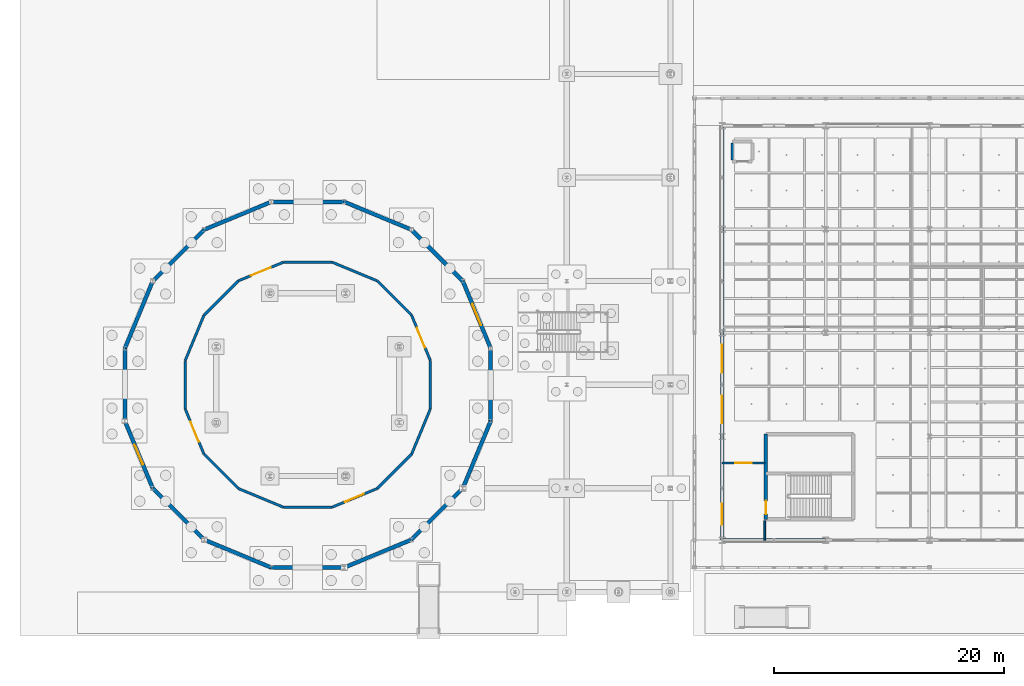
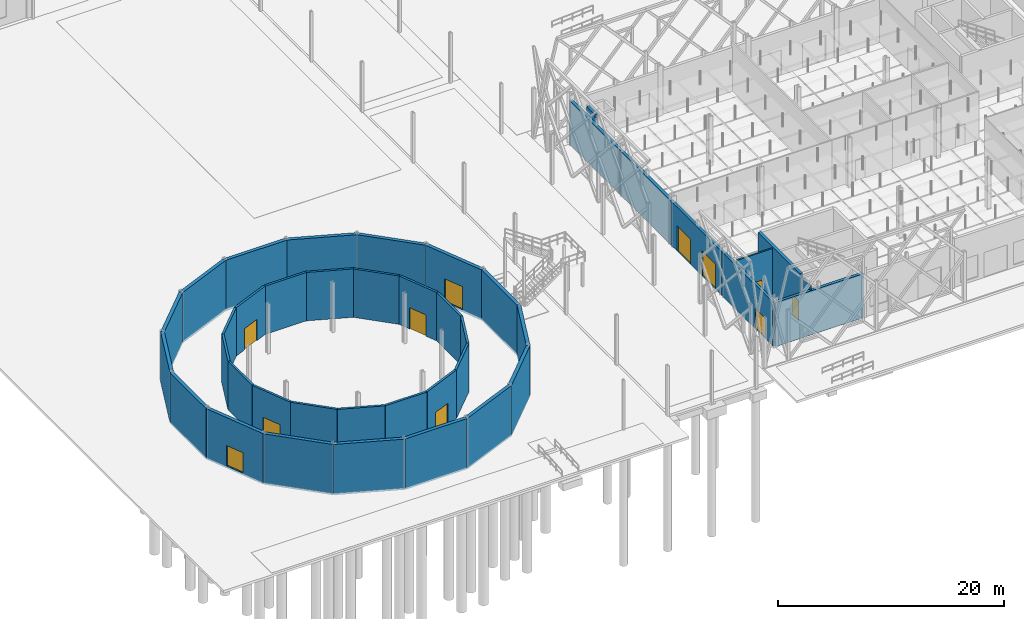
# One storey, part 94 of 180: 41 walls, 11 doors, 11 openings.
"""IFC4 building model written with IfcOpenShell, lengths in metres."""

from ifc_helpers import new_model, si_unit, direction, frame, frame_2d, origin, place, context, subcontext, project, spatial, rectangle, extrude, material, layer, layer_set, type_object, element, fill, save


model = new_model("IFC4")

# Units and contexts
model_context = context("Model", 3, precision=1e-05, world=origin(), true_north=direction((0.0, 1.0)))
body_context = subcontext(model_context, "Body", "Model", "MODEL_VIEW")
ifc_project = project(units=[si_unit("LENGTHUNIT", "METRE"), si_unit("AREAUNIT", "SQUARE_METRE"), si_unit("VOLUMEUNIT", "CUBIC_METRE"), si_unit("PLANEANGLEUNIT", "RADIAN"), si_unit("MASSUNIT", "GRAM", prefix="KILO"), si_unit("THERMODYNAMICTEMPERATUREUNIT", "KELVIN"), si_unit("POWERUNIT", "WATT")], contexts=[model_context])

# Site, building, storey
site_placement = place(None, origin())
site = spatial("IfcSite", under=ifc_project, at=site_placement, CompositionType="ELEMENT")
building_placement = place(site_placement, origin())
building = spatial("IfcBuilding", under=site, at=building_placement, Name="Tallowbark Science Centre", CompositionType="ELEMENT")
storey_placement = place(building_placement, origin())
storey = spatial("IfcBuildingStorey", under=building, at=storey_placement, Name="L00", CompositionType="ELEMENT", Elevation=0.0)

# Wall, opening, door
ifc_material_1 = material(Name="Spotted Gum Glulam and Mineral-Wool Rainscreen Assembly", Category="wood")
ifc_layer_1 = layer(ifc_material_1, 0.280029296875)
ifc_layer_set_1 = layer_set([ifc_layer_1], Name="Spotted Gum Glulam and Mineral-Wool Rainscreen Assembly")
wall_type_1 = type_object("IfcWallType", Name="EWL-TIM-280", PredefinedType="STANDARD", material=ifc_layer_set_1)
wall_1_placement = place(storey_placement, frame((58.5, 13.5, 0.0), z_axis=(0.0, 0.0, 1.0), x_axis=(0.0, -1.0, 0.0)))
wall_1 = element("IfcWall", 1, at=wall_1_placement, inside=storey, type_object=wall_type_1, Name="Exterior Wall CUB-W-L00-0", PredefinedType="STANDARD", context=body_context, shape_type="SweptSolid", body=[
    extrude(rectangle(XDim=9.0, YDim=0.280029296875, at=frame_2d((4.5, 0.0))), origin(), (0.0, 0.0, 1.0), 4.74609375),
])
opening_1_placement = place(wall_1_placement, frame((5.824951171875, 0.0, 0.0)))
opening_1 = element("IfcOpeningElement", 2, at=opening_1_placement, cuts=wall_1, Name="Opening ED-07", PredefinedType="OPENING", context=body_context, shape_type="SweptSolid", body=[
    extrude(rectangle(XDim=1.85009765625, YDim=2.199951171875, at=frame_2d((0.925048828125, 1.10009765625))), frame((0.0, 0.14990234375, 0.0), z_axis=(0.0, -1.0, 0.0), x_axis=(1.0, 0.0, 0.0)), (0.0, 0.0, 1.0), 0.300048828125),
])
ifc_material_2 = material(Name="Powdercoated Galvanised Steel Leaf", Category="steel")
door_type_1 = type_object("IfcDoorType", Name="EDR-ESC-185", OperationType="DOUBLE_DOOR_SINGLE_SWING", PredefinedType="DOOR", material=ifc_material_2)
door_1_placement = place(opening_1_placement, origin())
door_1 = element("IfcDoor", 3, at=door_1_placement, inside=storey, type_object=door_type_1, Name="Exterior Door EDR-L00-008", OperationType="DOUBLE_DOOR_SINGLE_SWING", OverallHeight=2.199951171875, OverallWidth=1.85009765625, PredefinedType="DOOR", context=body_context, shape_type="SweptSolid", body=[
    extrude(rectangle(XDim=1.85009765625, YDim=2.199951171875, at=frame_2d((0.925048828125, 1.10009765625))), frame((0.0, 0.02490234375, 0.0), z_axis=(0.0, -1.0, 0.0), x_axis=(1.0, 0.0, 0.0)), (0.0, 0.0, 1.0), 0.050048828125),
])
fill(opening_1, door_1)

# Wall, openings, doors
wall_2_placement = place(storey_placement, frame((58.5, 22.5, 0.0), z_axis=(0.0, 0.0, 1.0), x_axis=(0.0, -1.0, 0.0)))
wall_2 = element("IfcWall", 4, at=wall_2_placement, inside=storey, type_object=wall_type_1, Name="Exterior Wall CUB-W-L00-1", PredefinedType="STANDARD", context=body_context, shape_type="SweptSolid", body=[
    extrude(rectangle(XDim=9.0, YDim=0.280029296875, at=frame_2d((4.5, 0.0))), origin(), (0.0, 0.0, 1.0), 4.74609375),
])
opening_2_placement = place(wall_2_placement, frame((1.050048828125, 0.0, 0.0)))
opening_2 = element("IfcOpeningElement", 5, at=opening_2_placement, cuts=wall_2, Name="Opening ED-01", PredefinedType="OPENING", context=body_context, shape_type="SweptSolid", body=[
    extrude(rectangle(XDim=2.39990234375, YDim=2.699951171875, at=frame_2d((1.199951171875, 1.35009765625))), frame((0.0, 0.14990234375, 0.0), z_axis=(0.0, -1.0, 0.0), x_axis=(1.0, 0.0, 0.0)), (0.0, 0.0, 1.0), 0.300048828125),
])
opening_3_placement = place(wall_2_placement, frame((5.449951171875, 0.0, 0.0)))
opening_3 = element("IfcOpeningElement", 6, at=opening_3_placement, cuts=wall_2, Name="Opening ED-01", PredefinedType="OPENING", context=body_context, shape_type="SweptSolid", body=[
    extrude(rectangle(XDim=2.39990234375, YDim=2.699951171875, at=frame_2d((1.199951171875, 1.35009765625))), frame((0.0, 0.14990234375, 0.0), z_axis=(0.0, -1.0, 0.0), x_axis=(1.0, 0.0, 0.0)), (0.0, 0.0, 1.0), 0.300048828125),
])
ifc_material_3 = material(Name="Thermally Broken Glazed Aluminium Frame", Category="aluminium")
door_type_2 = type_object("IfcDoorType", Name="EDR-GLZ-240", OperationType="DOUBLE_DOOR_SINGLE_SWING", PredefinedType="DOOR", material=ifc_material_3)
door_2_placement = place(opening_2_placement, origin())
door_2 = element("IfcDoor", 7, at=door_2_placement, inside=storey, type_object=door_type_2, Name="Exterior Door EDR-L00-009", OperationType="DOUBLE_DOOR_SINGLE_SWING", OverallHeight=2.699951171875, OverallWidth=2.39990234375, PredefinedType="DOOR", context=body_context, shape_type="SweptSolid", body=[
    extrude(rectangle(XDim=2.39990234375, YDim=2.699951171875, at=frame_2d((1.199951171875, 1.35009765625))), frame((0.0, 0.02490234375, 0.0), z_axis=(0.0, -1.0, 0.0), x_axis=(1.0, 0.0, 0.0)), (0.0, 0.0, 1.0), 0.050048828125),
])
fill(opening_2, door_2)
door_3_placement = place(opening_3_placement, origin())
door_3 = element("IfcDoor", 8, at=door_3_placement, inside=storey, type_object=door_type_2, Name="Exterior Door EDR-L00-010", OperationType="DOUBLE_DOOR_SINGLE_SWING", OverallHeight=2.699951171875, OverallWidth=2.39990234375, PredefinedType="DOOR", context=body_context, shape_type="SweptSolid", body=[
    extrude(rectangle(XDim=2.39990234375, YDim=2.699951171875, at=frame_2d((1.199951171875, 1.35009765625))), frame((0.0, 0.02490234375, 0.0), z_axis=(0.0, -1.0, 0.0), x_axis=(1.0, 0.0, 0.0)), (0.0, 0.0, 1.0), 0.050048828125),
])
fill(opening_3, door_3)

# Walls
ifc_material_4 = material(Name="Spotted Gum Acoustic Cassette Wall Assembly", Category="wood")
ifc_layer_2 = layer(ifc_material_4, 0.294921875)
ifc_layer_set_2 = layer_set([ifc_layer_2], Name="Spotted Gum Acoustic Cassette Wall Assembly")
wall_type_2 = type_object("IfcWallType", Name="EWL-TIM-295", PredefinedType="STANDARD", material=ifc_layer_set_2)
for number, where, z_axis, x_axis, name in (
    (9, (58.5, 4.5, 0.0), (0.0, 0.0, 1.0), (1.0, 0.0, 0.0), "Exterior Wall CUB-S-L00-0"),
    (10, (58.5, 31.5, 0.0), (0.0, 0.0, 1.0), (0.0, -1.0, 0.0), "Exterior Wall CUB-W-L00-2"),
    (11, (58.5, 40.5, 0.0), (0.0, 0.0, 1.0), (0.0, -1.0, 0.0), "Exterior Wall CUB-W-L00-3"),
):
    element("IfcWall", number, at=place(storey_placement, frame(where, z_axis=z_axis, x_axis=x_axis)), inside=storey, type_object=wall_type_2, Name=name, PredefinedType="STANDARD", context=body_context, shape_type="SweptSolid", body=[
        extrude(rectangle(XDim=9.0, YDim=0.294921875, at=frame_2d((4.5, 0.0))), origin(), (0.0, 0.0, 1.0), 4.74609375),
    ])

# Wall, opening, door
ifc_material_5 = material(Name="162 mm Double-Stud Fire-Rated Corridor Partition")
ifc_layer_3 = layer(ifc_material_5, 0.162109375)
ifc_layer_set_3 = layer_set([ifc_layer_3], Name="162 mm Double-Stud Fire-Rated Corridor Partition")
wall_type_3 = type_object("IfcWallType", Name="PTW-162", PredefinedType="PARTITIONING", material=ifc_layer_set_3)
wall_3_placement = place(storey_placement, frame((58.5, 11.199951171875, 0.0), z_axis=(0.0, 0.0, 1.0), x_axis=(1.0, 0.0, 0.0)))
wall_3 = element("IfcWall", 12, at=wall_3_placement, inside=storey, type_object=wall_type_3, Name="Interior Partition PTW-L00-0139", PredefinedType="PARTITIONING", context=body_context, shape_type="SweptSolid", body=[
    extrude(rectangle(XDim=3.699951171875, YDim=0.162109375, at=frame_2d((1.85009765625, 0.0))), origin(), (0.0, 0.0, 1.0), 5.219970703125),
])
opening_4_placement = place(wall_3_placement, frame((1.1201171875, 0.0, 0.0)))
opening_4 = element("IfcOpeningElement", 13, at=opening_4_placement, cuts=wall_3, Name="Opening FD-02", PredefinedType="OPENING", context=body_context, shape_type="SweptSolid", body=[
    extrude(rectangle(XDim=1.449951171875, YDim=2.199951171875, at=frame_2d((0.72509765625, 1.10009765625))), frame((0.0, 0.091064453125, 0.0), z_axis=(0.0, -1.0, 0.0), x_axis=(1.0, 0.0, 0.0)), (0.0, 0.0, 1.0), 0.18212890625),
])
ifc_material_6 = material(Name="Fire-Rated Glazed Steel Pair", Category="steel")
door_type_3 = type_object("IfcDoorType", Name="FDR-LOB-145", OperationType="DOUBLE_DOOR_SINGLE_SWING", PredefinedType="DOOR", material=ifc_material_6)
door_4_placement = place(opening_4_placement, origin())
door_4 = element("IfcDoor", 14, at=door_4_placement, inside=storey, type_object=door_type_3, Name="Interior Door IDR-L00-0055", OperationType="DOUBLE_DOOR_SINGLE_SWING", OverallHeight=2.199951171875, OverallWidth=1.449951171875, PredefinedType="DOOR", context=body_context, shape_type="SweptSolid", body=[
    extrude(rectangle(XDim=1.449951171875, YDim=2.199951171875, at=frame_2d((0.72509765625, 1.10009765625))), frame((0.0, 0.02490234375, 0.0), z_axis=(0.0, -1.0, 0.0), x_axis=(1.0, 0.0, 0.0)), (0.0, 0.0, 1.0), 0.050048828125),
])
fill(opening_4, door_4)

# Wall
wall_4_placement = place(storey_placement, frame((62.199951171875, 4.5, 0.0), z_axis=(0.0, 0.0, 1.0), x_axis=(0.0, 1.0, 0.0)))
element("IfcWall", 15, at=wall_4_placement, inside=storey, type_object=wall_type_3, Name="Interior Partition PTW-L00-0140", PredefinedType="PARTITIONING", context=body_context, shape_type="SweptSolid", body=[
    extrude(rectangle(XDim=1.699951171875, YDim=0.162109375, at=frame_2d((0.85009765625, 0.0))), origin(), (0.0, 0.0, 1.0), 5.219970703125),
])

# Wall, opening, door
ifc_material_7 = material(Name="220 mm High-STC Planetarium Acoustic Partition")
ifc_layer_4 = layer(ifc_material_7, 0.219970703125)
ifc_layer_set_4 = layer_set([ifc_layer_4], Name="220 mm High-STC Planetarium Acoustic Partition")
wall_type_4 = type_object("IfcWallType", Name="PTW-220", PredefinedType="PARTITIONING", material=ifc_layer_set_4)
wall_5_placement = place(storey_placement, frame((33.1416015625, 20.11669921875, 0.0), z_axis=(0.0, 0.0, 1.0), x_axis=(-0.382698137168, 0.923873441445, 0.0)))
wall_5 = element("IfcWall", 16, at=wall_5_placement, inside=storey, type_object=wall_type_4, Name="Interior Partition PTW-L00-0056", PredefinedType="PARTITIONING", context=body_context, shape_type="SweptSolid", body=[
    extrude(rectangle(XDim=4.2333984375, YDim=0.219970703125, at=frame_2d((2.11669921875, 0.0))), origin(), (0.0, 0.0, 1.0), 5.219970703125),
])
opening_5_placement = place(wall_5_placement, frame((1.199951171875, 0.0, 0.0)))
opening_5 = element("IfcOpeningElement", 17, at=opening_5_placement, cuts=wall_5, Name="Opening DS-15", PredefinedType="OPENING", context=body_context, shape_type="SweptSolid", body=[
    extrude(rectangle(XDim=1.840087890625, YDim=2.300048828125, at=frame_2d((0.919921875, 1.14990234375))), frame((0.0, 0.1201171875, 0.0), z_axis=(0.0, -1.0, 0.0), x_axis=(1.0, 0.0, 0.0)), (0.0, 0.0, 1.0), 0.239990234375),
])
ifc_material_8 = material(Name="Acoustic Sound-Lock Theatre Pair")
door_type_4 = type_object("IfcDoorType", Name="IDR-AUD-180-S15", OperationType="DOUBLE_DOOR_SINGLE_SWING", PredefinedType="DOOR", material=ifc_material_8)
door_5_placement = place(opening_5_placement, origin())
door_5 = element("IfcDoor", 18, at=door_5_placement, inside=storey, type_object=door_type_4, Name="Interior Door IDR-L00-0015", OperationType="DOUBLE_DOOR_SINGLE_SWING", OverallHeight=2.300048828125, OverallWidth=1.840087890625, PredefinedType="DOOR", context=body_context, shape_type="SweptSolid", body=[
    extrude(rectangle(XDim=1.840087890625, YDim=2.300048828125, at=frame_2d((0.919921875, 1.14990234375))), frame((0.0, 0.02490234375, 0.0), z_axis=(0.0, -1.0, 0.0), x_axis=(1.0, 0.0, 0.0)), (0.0, 0.0, 1.0), 0.050048828125),
])
fill(opening_5, door_5)

# Walls
wall_6_placement = place(storey_placement, frame((31.521484375, 24.02783203125, 0.0), z_axis=(0.0, 0.0, 1.0), x_axis=(-0.707106781187, 0.707106781187, 0.0)))
element("IfcWall", 19, at=wall_6_placement, inside=storey, type_object=wall_type_4, Name="Interior Partition PTW-L00-0057", PredefinedType="PARTITIONING", context=body_context, shape_type="SweptSolid", body=[
    extrude(rectangle(XDim=4.233642578125, YDim=0.219970703125, at=frame_2d((2.11669921875, 0.0))), origin(), (0.0, 0.0, 1.0), 5.219970703125),
])
for number, where, z_axis, x_axis, name in (
    (20, (28.52783203125, 27.021484375, 0.0), (0.0, 0.0, 1.0), (-0.923873441445, 0.382698137168, 0.0), "Interior Partition PTW-L00-0058"),
    (21, (24.61669921875, 28.6416015625, 0.0), (0.0, 0.0, 1.0), (-1.0, 0.0, 0.0), "Interior Partition PTW-L00-0059"),
):
    element("IfcWall", number, at=place(storey_placement, frame(where, z_axis=z_axis, x_axis=x_axis)), inside=storey, type_object=wall_type_4, Name=name, PredefinedType="PARTITIONING", context=body_context, shape_type="SweptSolid", body=[
        extrude(rectangle(XDim=4.2333984375, YDim=0.219970703125, at=frame_2d((2.11669921875, 0.0))), origin(), (0.0, 0.0, 1.0), 5.219970703125),
    ])

# Wall, opening, door
wall_7_placement = place(storey_placement, frame((20.38330078125, 28.6416015625, 0.0), z_axis=(0.0, 0.0, 1.0), x_axis=(-0.923873441445, -0.382698137168, 0.0)))
wall_7 = element("IfcWall", 22, at=wall_7_placement, inside=storey, type_object=wall_type_4, Name="Interior Partition PTW-L00-0060", PredefinedType="PARTITIONING", context=body_context, shape_type="SweptSolid", body=[
    extrude(rectangle(XDim=4.2333984375, YDim=0.219970703125, at=frame_2d((2.11669921875, 0.0))), origin(), (0.0, 0.0, 1.0), 5.219970703125),
])
opening_6_placement = place(wall_7_placement, frame((1.199951171875, 0.0, 0.0)))
opening_6 = element("IfcOpeningElement", 23, at=opening_6_placement, cuts=wall_7, Name="Opening DS-16", PredefinedType="OPENING", context=body_context, shape_type="SweptSolid", body=[
    extrude(rectangle(XDim=1.860107421875, YDim=2.300048828125, at=frame_2d((0.93017578125, 1.14990234375))), frame((0.0, 0.1201171875, 0.0), z_axis=(0.0, -1.0, 0.0), x_axis=(1.0, 0.0, 0.0)), (0.0, 0.0, 1.0), 0.239990234375),
])
door_type_5 = type_object("IfcDoorType", Name="IDR-AUD-180-S16", OperationType="DOUBLE_DOOR_SINGLE_SWING", PredefinedType="DOOR", material=ifc_material_8)
door_6_placement = place(opening_6_placement, origin())
door_6 = element("IfcDoor", 24, at=door_6_placement, inside=storey, type_object=door_type_5, Name="Interior Door IDR-L00-0016", OperationType="DOUBLE_DOOR_SINGLE_SWING", OverallHeight=2.300048828125, OverallWidth=1.860107421875, PredefinedType="DOOR", context=body_context, shape_type="SweptSolid", body=[
    extrude(rectangle(XDim=1.860107421875, YDim=2.300048828125, at=frame_2d((0.93017578125, 1.14990234375))), frame((0.0, 0.02490234375, 0.0), z_axis=(0.0, -1.0, 0.0), x_axis=(1.0, 0.0, 0.0)), (0.0, 0.0, 1.0), 0.050048828125),
])
fill(opening_6, door_6)

# Walls
wall_8_placement = place(storey_placement, frame((16.47216796875, 27.021484375, 0.0), z_axis=(0.0, 0.0, 1.0), x_axis=(-0.707106781187, -0.707106781187, 0.0)))
element("IfcWall", 25, at=wall_8_placement, inside=storey, type_object=wall_type_4, Name="Interior Partition PTW-L00-0061", PredefinedType="PARTITIONING", context=body_context, shape_type="SweptSolid", body=[
    extrude(rectangle(XDim=4.233642578125, YDim=0.219970703125, at=frame_2d((2.11669921875, 0.0))), origin(), (0.0, 0.0, 1.0), 5.219970703125),
])
for number, where, z_axis, x_axis, name in (
    (26, (13.478515625, 24.02783203125, 0.0), (0.0, 0.0, 1.0), (-0.382698137168, -0.923873441445, 0.0), "Interior Partition PTW-L00-0062"),
    (27, (11.8583984375, 20.11669921875, 0.0), (0.0, 0.0, 1.0), (0.0, -1.0, 0.0), "Interior Partition PTW-L00-0063"),
):
    element("IfcWall", number, at=place(storey_placement, frame(where, z_axis=z_axis, x_axis=x_axis)), inside=storey, type_object=wall_type_4, Name=name, PredefinedType="PARTITIONING", context=body_context, shape_type="SweptSolid", body=[
        extrude(rectangle(XDim=4.2333984375, YDim=0.219970703125, at=frame_2d((2.11669921875, 0.0))), origin(), (0.0, 0.0, 1.0), 5.219970703125),
    ])

# Wall, opening, door
wall_9_placement = place(storey_placement, frame((11.8583984375, 15.88330078125, 0.0), z_axis=(0.0, 0.0, 1.0), x_axis=(0.382698137168, -0.923873441445, 0.0)))
wall_9 = element("IfcWall", 28, at=wall_9_placement, inside=storey, type_object=wall_type_4, Name="Interior Partition PTW-L00-0064", PredefinedType="PARTITIONING", context=body_context, shape_type="SweptSolid", body=[
    extrude(rectangle(XDim=4.2333984375, YDim=0.219970703125, at=frame_2d((2.11669921875, 0.0))), origin(), (0.0, 0.0, 1.0), 5.219970703125),
])
opening_7_placement = place(wall_9_placement, frame((1.199951171875, 0.0, 0.0)))
opening_7 = element("IfcOpeningElement", 29, at=opening_7_placement, cuts=wall_9, Name="Opening DS-17", PredefinedType="OPENING", context=body_context, shape_type="SweptSolid", body=[
    extrude(rectangle(XDim=1.8798828125, YDim=2.300048828125, at=frame_2d((0.93994140625, 1.14990234375))), frame((0.0, 0.1201171875, 0.0), z_axis=(0.0, -1.0, 0.0), x_axis=(1.0, 0.0, 0.0)), (0.0, 0.0, 1.0), 0.239990234375),
])
door_type_6 = type_object("IfcDoorType", Name="IDR-AUD-180-S17", OperationType="DOUBLE_DOOR_SINGLE_SWING", PredefinedType="DOOR", material=ifc_material_8)
door_7_placement = place(opening_7_placement, origin())
door_7 = element("IfcDoor", 30, at=door_7_placement, inside=storey, type_object=door_type_6, Name="Interior Door IDR-L00-0017", OperationType="DOUBLE_DOOR_SINGLE_SWING", OverallHeight=2.300048828125, OverallWidth=1.8798828125, PredefinedType="DOOR", context=body_context, shape_type="SweptSolid", body=[
    extrude(rectangle(XDim=1.8798828125, YDim=2.300048828125, at=frame_2d((0.93994140625, 1.14990234375))), frame((0.0, 0.02490234375, 0.0), z_axis=(0.0, -1.0, 0.0), x_axis=(1.0, 0.0, 0.0)), (0.0, 0.0, 1.0), 0.050048828125),
])
fill(opening_7, door_7)

# Walls
wall_10_placement = place(storey_placement, frame((13.478515625, 11.97216796875, 0.0), z_axis=(0.0, 0.0, 1.0), x_axis=(0.707106781187, -0.707106781187, 0.0)))
element("IfcWall", 31, at=wall_10_placement, inside=storey, type_object=wall_type_4, Name="Interior Partition PTW-L00-0065", PredefinedType="PARTITIONING", context=body_context, shape_type="SweptSolid", body=[
    extrude(rectangle(XDim=4.233642578125, YDim=0.219970703125, at=frame_2d((2.11669921875, 0.0))), origin(), (0.0, 0.0, 1.0), 5.219970703125),
])
for number, where, z_axis, x_axis, name in (
    (32, (16.47216796875, 8.978515625, 0.0), (0.0, 0.0, 1.0), (0.923873441445, -0.382698137168, 0.0), "Interior Partition PTW-L00-0066"),
    (33, (20.38330078125, 7.3583984375, 0.0), (0.0, 0.0, 1.0), (1.0, 0.0, 0.0), "Interior Partition PTW-L00-0067"),
):
    element("IfcWall", number, at=place(storey_placement, frame(where, z_axis=z_axis, x_axis=x_axis)), inside=storey, type_object=wall_type_4, Name=name, PredefinedType="PARTITIONING", context=body_context, shape_type="SweptSolid", body=[
        extrude(rectangle(XDim=4.2333984375, YDim=0.219970703125, at=frame_2d((2.11669921875, 0.0))), origin(), (0.0, 0.0, 1.0), 5.219970703125),
    ])

# Wall, opening, door
wall_11_placement = place(storey_placement, frame((24.61669921875, 7.3583984375, 0.0), z_axis=(0.0, 0.0, 1.0), x_axis=(0.923873441445, 0.382698137168, 0.0)))
wall_11 = element("IfcWall", 34, at=wall_11_placement, inside=storey, type_object=wall_type_4, Name="Interior Partition PTW-L00-0068", PredefinedType="PARTITIONING", context=body_context, shape_type="SweptSolid", body=[
    extrude(rectangle(XDim=4.2333984375, YDim=0.219970703125, at=frame_2d((2.11669921875, 0.0))), origin(), (0.0, 0.0, 1.0), 5.219970703125),
])
opening_8_placement = place(wall_11_placement, frame((1.199951171875, 0.0, 0.0)))
opening_8 = element("IfcOpeningElement", 35, at=opening_8_placement, cuts=wall_11, Name="Opening DS-18", PredefinedType="OPENING", context=body_context, shape_type="SweptSolid", body=[
    extrude(rectangle(XDim=1.780029296875, YDim=2.324951171875, at=frame_2d((0.89013671875, 1.16259765625))), frame((0.0, 0.1201171875, 0.0), z_axis=(0.0, -1.0, 0.0), x_axis=(1.0, 0.0, 0.0)), (0.0, 0.0, 1.0), 0.239990234375),
])
door_type_7 = type_object("IfcDoorType", Name="IDR-AUD-180-S18", OperationType="DOUBLE_DOOR_SINGLE_SWING", PredefinedType="DOOR", material=ifc_material_8)
door_8_placement = place(opening_8_placement, origin())
door_8 = element("IfcDoor", 36, at=door_8_placement, inside=storey, type_object=door_type_7, Name="Interior Door IDR-L00-0018", OperationType="DOUBLE_DOOR_SINGLE_SWING", OverallHeight=2.324951171875, OverallWidth=1.780029296875, PredefinedType="DOOR", context=body_context, shape_type="SweptSolid", body=[
    extrude(rectangle(XDim=1.780029296875, YDim=2.324951171875, at=frame_2d((0.89013671875, 1.16259765625))), frame((0.0, 0.02490234375, 0.0), z_axis=(0.0, -1.0, 0.0), x_axis=(1.0, 0.0, 0.0)), (0.0, 0.0, 1.0), 0.050048828125),
])
fill(opening_8, door_8)

# Walls
wall_12_placement = place(storey_placement, frame((28.52783203125, 8.978515625, 0.0), z_axis=(0.0, 0.0, 1.0), x_axis=(0.707106781187, 0.707106781187, 0.0)))
element("IfcWall", 37, at=wall_12_placement, inside=storey, type_object=wall_type_4, Name="Interior Partition PTW-L00-0069", PredefinedType="PARTITIONING", context=body_context, shape_type="SweptSolid", body=[
    extrude(rectangle(XDim=4.233642578125, YDim=0.219970703125, at=frame_2d((2.11669921875, 0.0))), origin(), (0.0, 0.0, 1.0), 5.219970703125),
])
for number, where, z_axis, x_axis, name in (
    (38, (31.521484375, 11.97216796875, 0.0), (0.0, 0.0, 1.0), (0.382698137168, 0.923873441445, 0.0), "Interior Partition PTW-L00-0070"),
    (39, (33.1416015625, 15.88330078125, 0.0), (0.0, 0.0, 1.0), (0.0, 1.0, 0.0), "Interior Partition PTW-L00-0071"),
):
    element("IfcWall", number, at=place(storey_placement, frame(where, z_axis=z_axis, x_axis=x_axis)), inside=storey, type_object=wall_type_4, Name=name, PredefinedType="PARTITIONING", context=body_context, shape_type="SweptSolid", body=[
        extrude(rectangle(XDim=4.2333984375, YDim=0.219970703125, at=frame_2d((2.11669921875, 0.0))), origin(), (0.0, 0.0, 1.0), 5.219970703125),
    ])

# Wall, opening, door
ifc_material_9 = material(Name="Concrete Grade N40 (40 MPa)", Category="concrete")
ifc_layer_5 = layer(ifc_material_9, 0.300048828125)
ifc_layer_set_5 = layer_set([ifc_layer_5], Name="Concrete Grade N40 (40 MPa)")
wall_type_5 = type_object("IfcWallType", Name="WL-CORE-300", PredefinedType="SHEAR", material=ifc_layer_set_5)
wall_13_placement = place(storey_placement, frame((62.300048828125, 6.300048828125, 0.0), z_axis=(0.0, 0.0, 1.0), x_axis=(0.0, 1.0, 0.0)))
wall_13 = element("IfcWall", 40, at=wall_13_placement, inside=storey, type_object=wall_type_5, Name="Core C7 Shear Wall L00 W", PredefinedType="SHEAR", context=body_context, shape_type="SweptSolid", body=[
    extrude(rectangle(XDim=7.39990234375, YDim=0.300048828125, at=frame_2d((3.699951171875, 0.0))), origin(), (0.0, 0.0, 1.0), 5.39990234375),
])
opening_9_placement = place(wall_13_placement, frame((0.449951171875, 0.0, 0.0)))
opening_9 = element("IfcOpeningElement", 41, at=opening_9_placement, cuts=wall_13, Name="Opening FD-01", PredefinedType="OPENING", context=body_context, shape_type="SweptSolid", body=[
    extrude(rectangle(XDim=1.14990234375, YDim=2.14990234375, at=frame_2d((0.574951171875, 1.074951171875))), frame((0.0, 0.16015625, 0.0), z_axis=(0.0, -1.0, 0.0), x_axis=(1.0, 0.0, 0.0)), (0.0, 0.0, 1.0), 0.320068359375),
])
ifc_material_10 = material(Name="Fire-Rated Pressed Steel Frame and Solid Core Leaf", Category="steel")
door_type_8 = type_object("IfcDoorType", Name="FDR-STR-115", OperationType="NOTDEFINED", PredefinedType="DOOR", material=ifc_material_10)
door_9_placement = place(opening_9_placement, origin())
door_9 = element("IfcDoor", 42, at=door_9_placement, inside=storey, type_object=door_type_8, Name="Stair ST-07 Fire Door L00", OperationType="SINGLE_SWING_RIGHT", OverallHeight=2.14990234375, OverallWidth=1.14990234375, PredefinedType="DOOR", context=body_context, shape_type="SweptSolid", body=[
    extrude(rectangle(XDim=1.14990234375, YDim=2.14990234375, at=frame_2d((0.574951171875, 1.074951171875))), frame((0.0, 0.02490234375, 0.0), z_axis=(0.0, -1.0, 0.0), x_axis=(1.0, 0.0, 0.0)), (0.0, 0.0, 1.0), 0.050048828125),
])
fill(opening_9, door_9)

ifc_layer_6 = layer(ifc_material_9, 0.340087890625)
ifc_layer_set_6 = layer_set([ifc_layer_6], Name="Concrete Grade N40 (40 MPa)")
wall_type_6 = type_object("IfcWallType", Name="WL-DRUM-340", PredefinedType="SHEAR", material=ifc_layer_set_6)
wall_14_placement = place(storey_placement, frame((38.388671875, 21.160400390625, -0.239990234375), z_axis=(0.0, 0.0, 1.0), x_axis=(-0.382683814393, 0.92387937427, 0.0)))
wall_14 = element("IfcWall", 43, at=wall_14_placement, inside=storey, type_object=wall_type_6, Name="Planetarium Drum Wall L00 Chord 1", PredefinedType="SHEAR", context=body_context, shape_type="SweptSolid", body=[
    extrude(rectangle(XDim=6.321044921875, YDim=0.340087890625, at=frame_2d((3.16064453125, 0.0))), origin(), (0.0, 0.0, 1.0), 5.4599609375),
])
opening_10_placement = place(wall_14_placement, frame((2.160400390625, 0.0, 0.239990234375)))
opening_10 = element("IfcOpeningElement", 44, at=opening_10_placement, cuts=wall_14, Name="Opening ED-02", PredefinedType="OPENING", context=body_context, shape_type="SweptSolid", body=[
    extrude(rectangle(XDim=2.0, YDim=2.5, at=frame_2d((1.0, 1.25))), frame((0.0, 0.18017578125, 0.0), z_axis=(0.0, -1.0, 0.0), x_axis=(1.0, 0.0, 0.0)), (0.0, 0.0, 1.0), 0.360107421875),
])
door_type_9 = type_object("IfcDoorType", Name="EDR-GLZ-200", OperationType="DOUBLE_DOOR_SINGLE_SWING", PredefinedType="DOOR", material=ifc_material_3)
door_10_placement = place(opening_10_placement, origin())
door_10 = element("IfcDoor", 45, at=door_10_placement, inside=storey, type_object=door_type_9, Name="Planetarium Ground Entrance Door 1", OperationType="DOUBLE_DOOR_SINGLE_SWING", OverallHeight=2.5, OverallWidth=2.0, PredefinedType="DOOR", context=body_context, shape_type="SweptSolid", body=[
    extrude(rectangle(XDim=2.0, YDim=2.5, at=frame_2d((1.0, 1.25))), frame((0.0, 0.02490234375, 0.0), z_axis=(0.0, -1.0, 0.0), x_axis=(1.0, 0.0, 0.0)), (0.0, 0.0, 1.0), 0.050048828125),
])
fill(opening_10, door_10)

# Walls
wall_15_placement = place(storey_placement, frame((35.9697265625, 27.000244140625, -0.239990234375), z_axis=(0.0, 0.0, 1.0), x_axis=(-0.707106781187, 0.707106781187, 0.0)))
element("IfcWall", 46, at=wall_15_placement, inside=storey, type_object=wall_type_6, Name="Planetarium Drum Wall L00 Chord 2", PredefinedType="SHEAR", context=body_context, shape_type="SweptSolid", body=[
    extrude(rectangle(XDim=6.32080078125, YDim=0.340087890625, at=frame_2d((3.160400390625, 0.0))), origin(), (0.0, 0.0, 1.0), 5.4599609375),
])
wall_16_placement = place(storey_placement, frame((31.500244140625, 31.4697265625, -0.239990234375), z_axis=(0.0, 0.0, 1.0), x_axis=(-0.92387937427, 0.382683814393, 0.0)))
element("IfcWall", 47, at=wall_16_placement, inside=storey, type_object=wall_type_6, Name="Planetarium Drum Wall L00 Chord 3", PredefinedType="SHEAR", context=body_context, shape_type="SweptSolid", body=[
    extrude(rectangle(XDim=6.321044921875, YDim=0.340087890625, at=frame_2d((3.16064453125, 0.0))), origin(), (0.0, 0.0, 1.0), 5.4599609375),
])
wall_17_placement = place(storey_placement, frame((25.660400390625, 33.888671875, -0.239990234375), z_axis=(0.0, 0.0, 1.0), x_axis=(-1.0, 0.0, 0.0)))
element("IfcWall", 48, at=wall_17_placement, inside=storey, type_object=wall_type_6, Name="Planetarium Drum Wall L00 Chord 4", PredefinedType="SHEAR", context=body_context, shape_type="SweptSolid", body=[
    extrude(rectangle(XDim=6.32080078125, YDim=0.340087890625, at=frame_2d((3.160400390625, 0.0))), origin(), (0.0, 0.0, 1.0), 5.4599609375),
])
wall_18_placement = place(storey_placement, frame((19.339599609375, 33.888671875, -0.239990234375), z_axis=(0.0, 0.0, 1.0), x_axis=(-0.92387937427, -0.382683814393, 0.0)))
element("IfcWall", 49, at=wall_18_placement, inside=storey, type_object=wall_type_6, Name="Planetarium Drum Wall L00 Chord 5", PredefinedType="SHEAR", context=body_context, shape_type="SweptSolid", body=[
    extrude(rectangle(XDim=6.321044921875, YDim=0.340087890625, at=frame_2d((3.16064453125, 0.0))), origin(), (0.0, 0.0, 1.0), 5.4599609375),
])
wall_19_placement = place(storey_placement, frame((13.499755859375, 31.4697265625, -0.239990234375), z_axis=(0.0, 0.0, 1.0), x_axis=(-0.707106781187, -0.707106781187, 0.0)))
element("IfcWall", 50, at=wall_19_placement, inside=storey, type_object=wall_type_6, Name="Planetarium Drum Wall L00 Chord 6", PredefinedType="SHEAR", context=body_context, shape_type="SweptSolid", body=[
    extrude(rectangle(XDim=6.32080078125, YDim=0.340087890625, at=frame_2d((3.160400390625, 0.0))), origin(), (0.0, 0.0, 1.0), 5.4599609375),
])
wall_20_placement = place(storey_placement, frame((9.0302734375, 27.000244140625, -0.239990234375), z_axis=(0.0, 0.0, 1.0), x_axis=(-0.382683814393, -0.92387937427, 0.0)))
element("IfcWall", 51, at=wall_20_placement, inside=storey, type_object=wall_type_6, Name="Planetarium Drum Wall L00 Chord 7", PredefinedType="SHEAR", context=body_context, shape_type="SweptSolid", body=[
    extrude(rectangle(XDim=6.321044921875, YDim=0.340087890625, at=frame_2d((3.16064453125, 0.0))), origin(), (0.0, 0.0, 1.0), 5.4599609375),
])
wall_21_placement = place(storey_placement, frame((6.611328125, 21.160400390625, -0.239990234375), z_axis=(0.0, 0.0, 1.0), x_axis=(0.0, -1.0, 0.0)))
element("IfcWall", 52, at=wall_21_placement, inside=storey, type_object=wall_type_6, Name="Planetarium Drum Wall L00 Chord 8", PredefinedType="SHEAR", context=body_context, shape_type="SweptSolid", body=[
    extrude(rectangle(XDim=6.32080078125, YDim=0.340087890625, at=frame_2d((3.160400390625, 0.0))), origin(), (0.0, 0.0, 1.0), 5.4599609375),
])

# Wall, opening, door
wall_22_placement = place(storey_placement, frame((6.611328125, 14.839599609375, -0.239990234375), z_axis=(0.0, 0.0, 1.0), x_axis=(0.382683814393, -0.92387937427, 0.0)))
wall_22 = element("IfcWall", 53, at=wall_22_placement, inside=storey, type_object=wall_type_6, Name="Planetarium Drum Wall L00 Chord 9", PredefinedType="SHEAR", context=body_context, shape_type="SweptSolid", body=[
    extrude(rectangle(XDim=6.321044921875, YDim=0.340087890625, at=frame_2d((3.16064453125, 0.0))), origin(), (0.0, 0.0, 1.0), 5.4599609375),
])
opening_11_placement = place(wall_22_placement, frame((2.235595703125, 0.0, 0.239990234375)))
opening_11 = element("IfcOpeningElement", 54, at=opening_11_placement, cuts=wall_22, Name="Opening ED-07", PredefinedType="OPENING", context=body_context, shape_type="SweptSolid", body=[
    extrude(rectangle(XDim=1.85009765625, YDim=2.199951171875, at=frame_2d((0.925048828125, 1.10009765625))), frame((0.0, 0.18017578125, 0.0), z_axis=(0.0, -1.0, 0.0), x_axis=(1.0, 0.0, 0.0)), (0.0, 0.0, 1.0), 0.360107421875),
])
door_11_placement = place(opening_11_placement, origin())
door_11 = element("IfcDoor", 55, at=door_11_placement, inside=storey, type_object=door_type_1, Name="Planetarium Ground Entrance Door 9", OperationType="DOUBLE_DOOR_SINGLE_SWING", OverallHeight=2.199951171875, OverallWidth=1.85009765625, PredefinedType="DOOR", context=body_context, shape_type="SweptSolid", body=[
    extrude(rectangle(XDim=1.85009765625, YDim=2.199951171875, at=frame_2d((0.925048828125, 1.10009765625))), frame((0.0, 0.02490234375, 0.0), z_axis=(0.0, -1.0, 0.0), x_axis=(1.0, 0.0, 0.0)), (0.0, 0.0, 1.0), 0.050048828125),
])
fill(opening_11, door_11)

# Walls
wall_23_placement = place(storey_placement, frame((9.0302734375, 8.999755859375, -0.239990234375), z_axis=(0.0, 0.0, 1.0), x_axis=(0.707106781187, -0.707106781187, 0.0)))
element("IfcWall", 56, at=wall_23_placement, inside=storey, type_object=wall_type_6, Name="Planetarium Drum Wall L00 Chord 10", PredefinedType="SHEAR", context=body_context, shape_type="SweptSolid", body=[
    extrude(rectangle(XDim=6.32080078125, YDim=0.340087890625, at=frame_2d((3.160400390625, 0.0))), origin(), (0.0, 0.0, 1.0), 5.4599609375),
])
wall_24_placement = place(storey_placement, frame((13.499755859375, 4.5302734375, -0.239990234375), z_axis=(0.0, 0.0, 1.0), x_axis=(0.92387937427, -0.382683814393, 0.0)))
element("IfcWall", 57, at=wall_24_placement, inside=storey, type_object=wall_type_6, Name="Planetarium Drum Wall L00 Chord 11", PredefinedType="SHEAR", context=body_context, shape_type="SweptSolid", body=[
    extrude(rectangle(XDim=6.321044921875, YDim=0.340087890625, at=frame_2d((3.16064453125, 0.0))), origin(), (0.0, 0.0, 1.0), 5.4599609375),
])
wall_25_placement = place(storey_placement, frame((19.339599609375, 2.111328125, -0.239990234375), z_axis=(0.0, 0.0, 1.0), x_axis=(1.0, 0.0, 0.0)))
element("IfcWall", 58, at=wall_25_placement, inside=storey, type_object=wall_type_6, Name="Planetarium Drum Wall L00 Chord 12", PredefinedType="SHEAR", context=body_context, shape_type="SweptSolid", body=[
    extrude(rectangle(XDim=6.32080078125, YDim=0.340087890625, at=frame_2d((3.160400390625, 0.0))), origin(), (0.0, 0.0, 1.0), 5.4599609375),
])
wall_26_placement = place(storey_placement, frame((25.660400390625, 2.111328125, -0.239990234375), z_axis=(0.0, 0.0, 1.0), x_axis=(0.92387937427, 0.382683814393, 0.0)))
element("IfcWall", 59, at=wall_26_placement, inside=storey, type_object=wall_type_6, Name="Planetarium Drum Wall L00 Chord 13", PredefinedType="SHEAR", context=body_context, shape_type="SweptSolid", body=[
    extrude(rectangle(XDim=6.321044921875, YDim=0.340087890625, at=frame_2d((3.16064453125, 0.0))), origin(), (0.0, 0.0, 1.0), 5.4599609375),
])
wall_27_placement = place(storey_placement, frame((31.500244140625, 4.5302734375, -0.239990234375), z_axis=(0.0, 0.0, 1.0), x_axis=(0.707106781187, 0.707106781187, 0.0)))
element("IfcWall", 60, at=wall_27_placement, inside=storey, type_object=wall_type_6, Name="Planetarium Drum Wall L00 Chord 14", PredefinedType="SHEAR", context=body_context, shape_type="SweptSolid", body=[
    extrude(rectangle(XDim=6.32080078125, YDim=0.340087890625, at=frame_2d((3.160400390625, 0.0))), origin(), (0.0, 0.0, 1.0), 5.4599609375),
])
wall_28_placement = place(storey_placement, frame((35.9697265625, 8.999755859375, -0.239990234375), z_axis=(0.0, 0.0, 1.0), x_axis=(0.382683814393, 0.92387937427, 0.0)))
element("IfcWall", 61, at=wall_28_placement, inside=storey, type_object=wall_type_6, Name="Planetarium Drum Wall L00 Chord 15", PredefinedType="SHEAR", context=body_context, shape_type="SweptSolid", body=[
    extrude(rectangle(XDim=6.321044921875, YDim=0.340087890625, at=frame_2d((3.16064453125, 0.0))), origin(), (0.0, 0.0, 1.0), 5.4599609375),
])
wall_29_placement = place(storey_placement, frame((38.388671875, 14.839599609375, -0.239990234375), z_axis=(0.0, 0.0, 1.0), x_axis=(0.0, 1.0, 0.0)))
element("IfcWall", 62, at=wall_29_placement, inside=storey, type_object=wall_type_6, Name="Planetarium Drum Wall L00 Chord 16", PredefinedType="SHEAR", context=body_context, shape_type="SweptSolid", body=[
    extrude(rectangle(XDim=6.32080078125, YDim=0.340087890625, at=frame_2d((3.160400390625, 0.0))), origin(), (0.0, 0.0, 1.0), 5.4599609375),
])
ifc_layer_7 = layer(ifc_material_9, 0.25)
ifc_layer_set_7 = layer_set([ifc_layer_7], Name="Concrete Grade N40 (40 MPa)")
wall_type_7 = type_object("IfcWallType", Name="WL-SHAFT-250", PredefinedType="SHEAR", material=ifc_layer_set_7)
wall_30_placement = place(storey_placement, frame((59.375, 37.5, 0.0), z_axis=(0.0, 0.0, 1.0), x_axis=(0.0, 1.0, 0.0)))
element("IfcWall", 63, at=wall_30_placement, inside=storey, type_object=wall_type_7, Name="Service Riser Shaft Wall RSR-CUB-W L00 W", PredefinedType="SHEAR", context=body_context, shape_type="SweptSolid", body=[
    extrude(rectangle(XDim=1.5, YDim=0.25, at=frame_2d((0.75, 0.0))), origin(), (0.0, 0.0, 1.0), 4.669921875),
])

save(model, "model.ifc")
